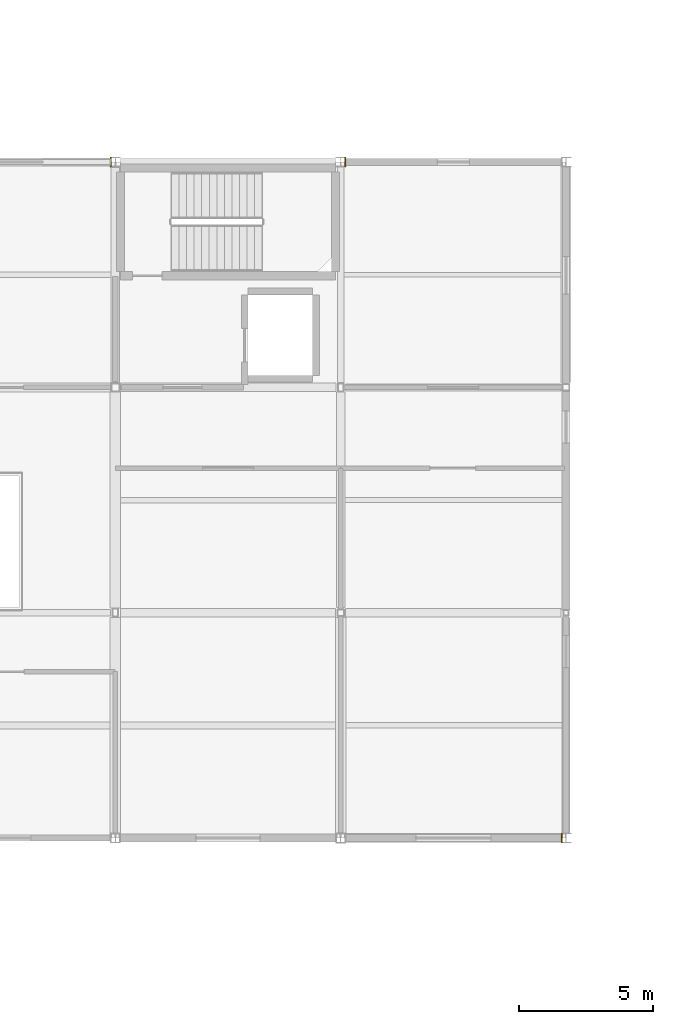
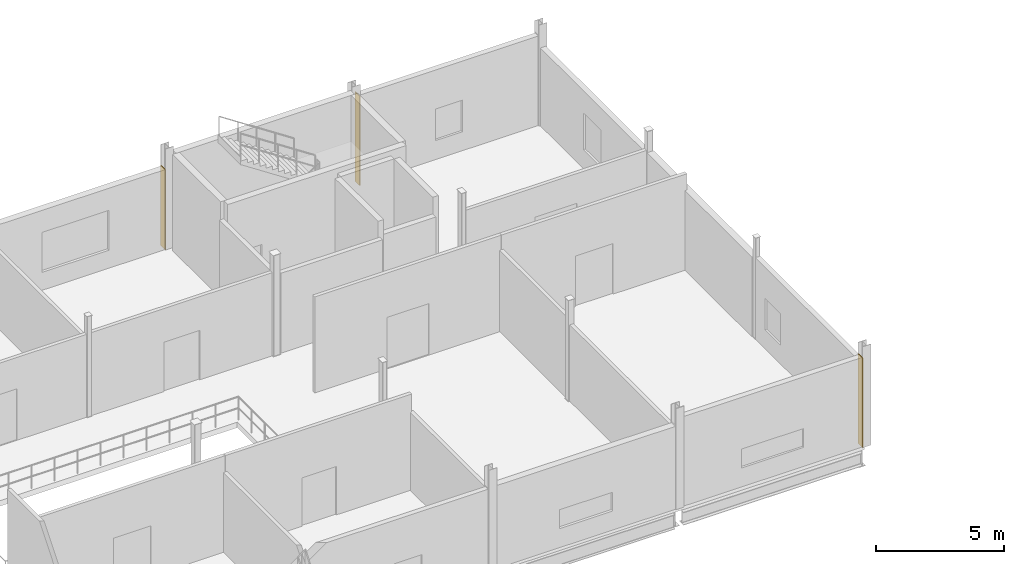
# One storey, part 40 of 45: 3 coverings.
"""IFC4 building model written with IfcOpenShell, lengths in metres."""

from ifc_helpers import new_model, si_unit, direction, frame, origin, place, context, subcontext, project, spatial, polyline, outline, extrude, material, layer, layer_set, type_object, element, save


model = new_model("IFC4")

# Units and contexts
model_context = context("Model", 3, precision=1e-05, world=origin(), true_north=direction((0.0, 1.0)))
body_context = subcontext(model_context, "Body", "Model", "MODEL_VIEW")
ifc_project = project(units=[si_unit("LENGTHUNIT", "METRE"), si_unit("AREAUNIT", "SQUARE_METRE"), si_unit("VOLUMEUNIT", "CUBIC_METRE"), si_unit("PLANEANGLEUNIT", "RADIAN"), si_unit("MASSUNIT", "GRAM", prefix="KILO")], contexts=[model_context])

# Site, building, storey
site_placement = place(None, origin())
site = spatial("IfcSite", under=ifc_project, at=site_placement, CompositionType="ELEMENT")
building_placement = place(site_placement, origin())
building = spatial("IfcBuilding", under=site, at=building_placement, Name="Calvrana Isthmian Art Gallery", CompositionType="ELEMENT")
storey_placement = place(building_placement, frame((0.0, 0.0, 19.800048828125)))
storey = spatial("IfcBuildingStorey", under=building, at=storey_placement, Name="L04", CompositionType="ELEMENT", Elevation=19.800048828125)

# Coverings
ifc_material = material(Name="Polychrome glazed terracotta", Category="masonry")
ifc_layer = layer(ifc_material, 0.0400390625, Name="Polychrome glazed terracotta")
ifc_layer_set = layer_set([ifc_layer], Name="Polychrome glazed terracotta")
covering_type = type_object("IfcCoveringType", Name="COV-CLAD-TERRA", PredefinedType="CLADDING", material=ifc_layer_set)
covering_1_placement = place(storey_placement, origin())
element("IfcCovering", 1, at=covering_1_placement, inside=storey, type_object=covering_type, Name="Column pocket weather closure L04-09-03-E", PredefinedType="CLADDING", context=body_context, shape_type="SweptSolid", body=[
    extrude(outline(polyline([(80.21337890625, 21.4208984375), (80.25341796875, 21.4208984375), (80.25341796875, 21.779052734375), (80.21337890625, 21.779052734375), (80.21337890625, 21.4208984375)])), origin(), (0.0, 0.0, 1.0), 4.255126953125),
])
covering_2_placement = place(storey_placement, origin())
element("IfcCovering", 2, at=covering_2_placement, inside=storey, type_object=covering_type, Name="Column pocket weather closure L04-07-06-E", PredefinedType="CLADDING", context=body_context, shape_type="SweptSolid", body=[
    extrude(outline(polyline([(63.41357421875, 46.618408203125), (63.45361328125, 46.618408203125), (63.45361328125, 46.9814453125), (63.41357421875, 46.9814453125), (63.41357421875, 46.618408203125)])), origin(), (0.0, 0.0, 1.0), 3.7978515625),
])
covering_3_placement = place(storey_placement, origin())
element("IfcCovering", 3, at=covering_3_placement, inside=storey, type_object=covering_type, Name="Column pocket weather closure L04-09-06-W", PredefinedType="CLADDING", context=body_context, shape_type="SweptSolid", body=[
    extrude(outline(polyline([(72.146484375, 46.62109375), (72.1865234375, 46.62109375), (72.1865234375, 46.97900390625), (72.146484375, 46.97900390625), (72.146484375, 46.62109375)])), origin(), (0.0, 0.0, 1.0), 4.255126953125),
])

save(model, "model.ifc")
